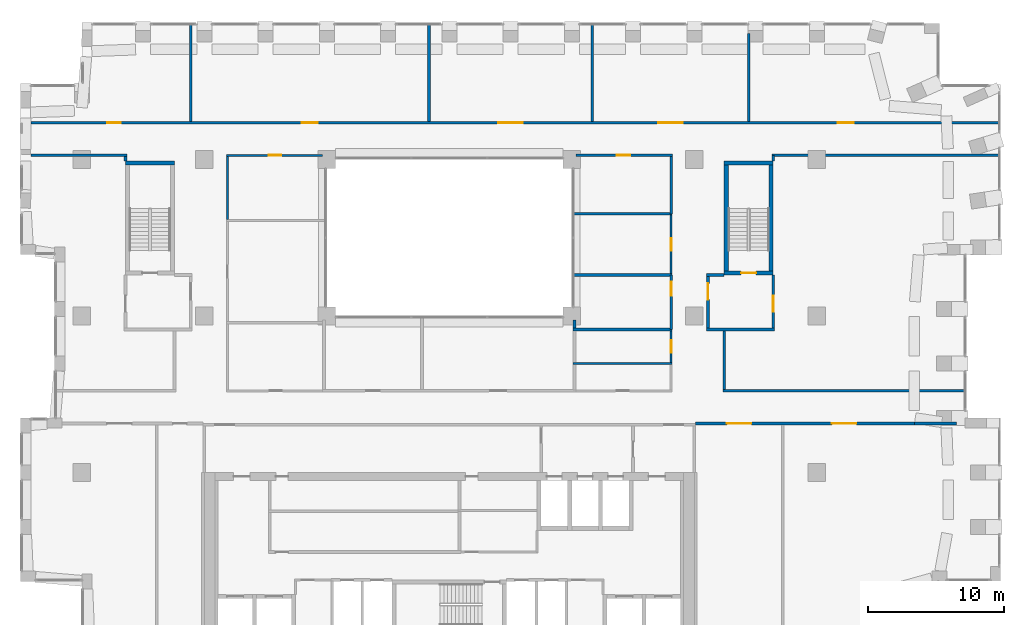
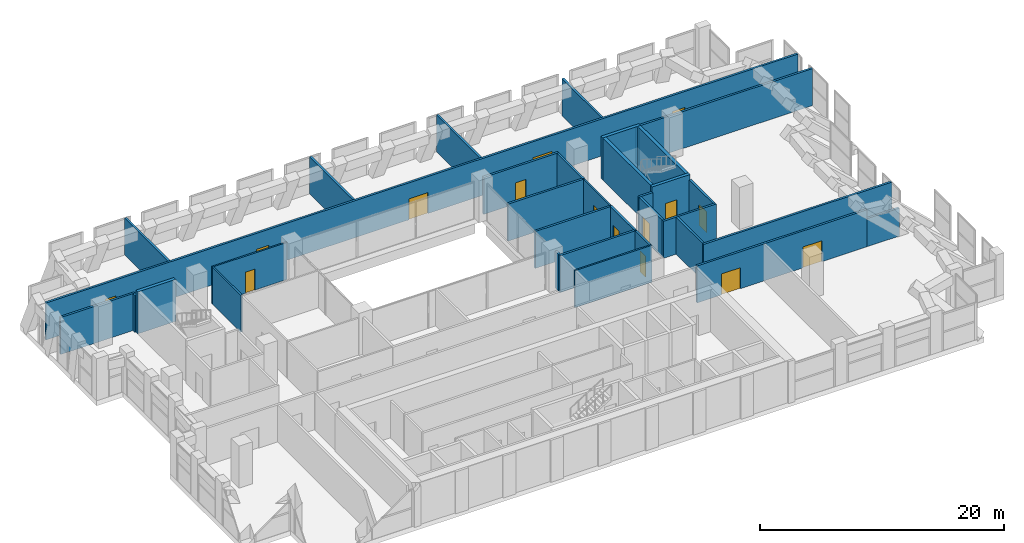
# One storey, part 18 of 20: 34 walls, 15 doors, 15 openings.
"""IFC4 building model written with IfcOpenShell, lengths in metres."""

from ifc_helpers import new_model, si_unit, direction, frame, frame_2d, origin, place, context, subcontext, project, spatial, rectangle, extrude, material, layer, layer_set, type_object, element, fill, save


model = new_model("IFC4")

# Units and contexts
model_context = context("Model", 3, precision=1e-05, world=origin(), true_north=direction((0.0, 1.0)))
body_context = subcontext(model_context, "Body", "Model", "MODEL_VIEW")
ifc_project = project(units=[si_unit("LENGTHUNIT", "METRE"), si_unit("AREAUNIT", "SQUARE_METRE"), si_unit("VOLUMEUNIT", "CUBIC_METRE"), si_unit("PLANEANGLEUNIT", "RADIAN"), si_unit("MASSUNIT", "GRAM", prefix="KILO")], contexts=[model_context])

# Site, building, storey
site_placement = place(None, origin())
site = spatial("IfcSite", under=ifc_project, at=site_placement, CompositionType="ELEMENT")
building_placement = place(site_placement, origin())
building = spatial("IfcBuilding", under=site, at=building_placement, Name="Brigalow Station Residences", CompositionType="ELEMENT")
storey_placement = place(building_placement, frame((0.0, 0.0, 137.10009765625)))
storey = spatial("IfcBuildingStorey", under=building, at=storey_placement, Name="L39", CompositionType="ELEMENT", Elevation=137.10009765625)

# Wall
ifc_material_1 = material(Name="Concrete C65", Category="concrete")
ifc_layer_1 = layer(ifc_material_1, 0.300048828125)
ifc_layer_set_1 = layer_set([ifc_layer_1], Name="CORE SHEAR WALL 300 C65")
wall_type_1 = type_object("IfcWallType", Name="CORE SHEAR WALL 300 C65", PredefinedType="SHEAR", material=ifc_layer_set_1)
wall_1_placement = place(storey_placement, frame((12.199951171875, 35.25, 0.0), z_axis=(0.0, 0.0, 1.0), x_axis=(1.0, 0.0, 0.0)))
element("IfcWall", 1, at=wall_1_placement, inside=storey, type_object=wall_type_1, Name="CORE WALL ST-S1-N L39", PredefinedType="SHEAR", context=body_context, shape_type="SweptSolid", body=[
    extrude(rectangle(XDim=3.60009765625, YDim=0.300048828125, at=frame_2d((1.800048828125, 0.0))), origin(), (0.0, 0.0, 1.0), 4.199951171875),
])

# Wall, opening, door
wall_2_placement = place(storey_placement, frame((56.199951171875, 27.14990234375, 0.0), z_axis=(0.0, 0.0, 1.0), x_axis=(1.0, 0.0, 0.0)))
wall_2 = element("IfcWall", 2, at=wall_2_placement, inside=storey, type_object=wall_type_1, Name="CORE WALL ST-S3-S L39", PredefinedType="SHEAR", context=body_context, shape_type="SweptSolid", body=[
    extrude(rectangle(XDim=3.60009765625, YDim=0.300048828125, at=frame_2d((1.800048828125, 0.0))), origin(), (0.0, 0.0, 1.0), 4.199951171875),
])
opening_1_placement = place(wall_2_placement, frame((1.25, 0.0, 0.0)))
opening_1 = element("IfcOpeningElement", 3, at=opening_1_placement, cuts=wall_2, Name="Opening D-5018", PredefinedType="OPENING", context=body_context, shape_type="SweptSolid", body=[
    extrude(rectangle(XDim=1.10009765625, YDim=2.10009765625, at=frame_2d((0.550048828125, 1.050048828125))), frame((0.0, 0.16015625, 0.0), z_axis=(0.0, -1.0, 0.0), x_axis=(1.0, 0.0, 0.0)), (0.0, 0.0, 1.0), 0.320068359375),
])
ifc_material_2 = material(Name="Steel fire door leaf in steel frame", Category="steel")
door_type_1 = type_object("IfcDoorType", Name="STAIR DOOR 1100 x 2100 FD60S", OperationType="SINGLE_SWING_LEFT", PredefinedType="DOOR", material=ifc_material_2)
door_1_placement = place(opening_1_placement, origin())
door_1 = element("IfcDoor", 4, at=door_1_placement, inside=storey, type_object=door_type_1, Name="D-5018", OperationType="SINGLE_SWING_LEFT", OverallHeight=2.10009765625, OverallWidth=1.10009765625, PredefinedType="DOOR", context=body_context, shape_type="SweptSolid", body=[
    extrude(rectangle(XDim=1.10009765625, YDim=2.10009765625, at=frame_2d((0.550048828125, 1.050048828125))), frame((0.0, 0.02490234375, 0.0), z_axis=(0.0, -1.0, 0.0), x_axis=(1.0, 0.0, 0.0)), (0.0, 0.0, 1.0), 0.050048828125),
])
fill(opening_1, door_1)

# Walls
wall_3_placement = place(storey_placement, frame((56.199951171875, 35.25, 0.0), z_axis=(0.0, 0.0, 1.0), x_axis=(1.0, 0.0, 0.0)))
element("IfcWall", 5, at=wall_3_placement, inside=storey, type_object=wall_type_1, Name="CORE WALL ST-S3-N L39", PredefinedType="SHEAR", context=body_context, shape_type="SweptSolid", body=[
    extrude(rectangle(XDim=3.60009765625, YDim=0.300048828125, at=frame_2d((1.800048828125, 0.0))), origin(), (0.0, 0.0, 1.0), 4.199951171875),
])
for number, where, z_axis, x_axis, name in (
    (6, (56.35009765625, 27.300048828125, 0.0), (0.0, 0.0, 1.0), (0.0, 1.0, 0.0), "CORE WALL ST-S3-W L39"),
    (7, (59.64990234375, 27.300048828125, 0.0), (0.0, 0.0, 1.0), (0.0, 1.0, 0.0), "CORE WALL ST-S3-E L39"),
):
    element("IfcWall", number, at=place(storey_placement, frame(where, z_axis=z_axis, x_axis=x_axis)), inside=storey, type_object=wall_type_1, Name=name, PredefinedType="SHEAR", context=body_context, shape_type="SweptSolid", body=[
        extrude(rectangle(XDim=7.800048828125, YDim=0.300048828125, at=frame_2d((3.89990234375, 0.0))), origin(), (0.0, 0.0, 1.0), 4.199951171875),
    ])
ifc_material_3 = material(Name="Concrete blockwork", Category="masonry")
ifc_layer_2 = layer(ifc_material_3, 0.199951171875)
ifc_layer_set_2 = layer_set([ifc_layer_2], Name="FIRE RATED CORE PARTITION 200")
wall_type_2 = type_object("IfcWallType", Name="FIRE RATED CORE PARTITION 200", PredefinedType="PARTITIONING", material=ifc_layer_set_2)
wall_4_placement = place(storey_placement, frame((54.89990234375, 23.0, 0.0), z_axis=(0.0, 0.0, 1.0), x_axis=(1.0, 0.0, 0.0)))
element("IfcWall", 8, at=wall_4_placement, inside=storey, type_object=wall_type_2, Name="PW-5024", PredefinedType="PARTITIONING", context=body_context, shape_type="SweptSolid", body=[
    extrude(rectangle(XDim=5.0, YDim=0.199951171875, at=frame_2d((2.5, 0.0))), origin(), (0.0, 0.0, 1.0), 3.699951171875),
])
wall_5_placement = place(storey_placement, frame((54.89990234375, 27.0, 0.0), z_axis=(0.0, 0.0, 1.0), x_axis=(1.0, 0.0, 0.0)))
element("IfcWall", 9, at=wall_5_placement, inside=storey, type_object=wall_type_2, Name="PW-5026", PredefinedType="PARTITIONING", context=body_context, shape_type="SweptSolid", body=[
    extrude(rectangle(XDim=1.300048828125, YDim=0.199951171875, at=frame_2d((0.64990234375, 0.0))), origin(), (0.0, 0.0, 1.0), 3.699951171875),
])

# Wall, opening, door
wall_6_placement = place(storey_placement, frame((55.0, 23.10009765625, 0.0), z_axis=(0.0, 0.0, 1.0), x_axis=(0.0, 1.0, 0.0)))
wall_6 = element("IfcWall", 10, at=wall_6_placement, inside=storey, type_object=wall_type_2, Name="PW-5036", PredefinedType="PARTITIONING", context=body_context, shape_type="SweptSolid", body=[
    extrude(rectangle(XDim=3.7998046875, YDim=0.199951171875, at=frame_2d((1.89990234375, 0.0))), origin(), (0.0, 0.0, 1.0), 3.699951171875),
])
opening_2_placement = place(wall_6_placement, frame((2.10009765625, 0.0, 0.0)))
opening_2 = element("IfcOpeningElement", 11, at=opening_2_placement, cuts=wall_6, Name="Opening D-5019", PredefinedType="OPENING", context=body_context, shape_type="SweptSolid", body=[
    extrude(rectangle(XDim=1.199951171875, YDim=2.10009765625, at=frame_2d((0.60009765625, 1.050048828125))), frame((0.0, 0.10986328125, 0.0), z_axis=(0.0, -1.0, 0.0), x_axis=(1.0, 0.0, 0.0)), (0.0, 0.0, 1.0), 0.219970703125),
])
ifc_material_4 = material(Name="Steel fire door leaf in steel frame", Category="steel")
door_type_2 = type_object("IfcDoorType", Name="STAIR LOBBY DOOR 1200 x 2100 FD60S", OperationType="SINGLE_SWING_LEFT", PredefinedType="DOOR", material=ifc_material_4)
door_2_placement = place(opening_2_placement, origin())
door_2 = element("IfcDoor", 12, at=door_2_placement, inside=storey, type_object=door_type_2, Name="D-5019", OperationType="SINGLE_SWING_LEFT", OverallHeight=2.10009765625, OverallWidth=1.199951171875, PredefinedType="DOOR", context=body_context, shape_type="SweptSolid", body=[
    extrude(rectangle(XDim=1.199951171875, YDim=2.10009765625, at=frame_2d((0.60009765625, 1.050048828125))), frame((0.0, 0.02490234375, 0.0), z_axis=(0.0, -1.0, 0.0), x_axis=(1.0, 0.0, 0.0)), (0.0, 0.0, 1.0), 0.050048828125),
])
fill(opening_2, door_2)

wall_7_placement = place(storey_placement, frame((59.800048828125, 23.10009765625, 0.0), z_axis=(0.0, 0.0, 1.0), x_axis=(0.0, 1.0, 0.0)))
wall_7 = element("IfcWall", 13, at=wall_7_placement, inside=storey, type_object=wall_type_2, Name="PW-5037", PredefinedType="PARTITIONING", context=body_context, shape_type="SweptSolid", body=[
    extrude(rectangle(XDim=3.89990234375, YDim=0.199951171875, at=frame_2d((1.949951171875, 0.0))), origin(), (0.0, 0.0, 1.0), 3.699951171875),
])
opening_3_placement = place(wall_7_placement, frame((1.199951171875, 0.0, 0.0)))
opening_3 = element("IfcOpeningElement", 14, at=opening_3_placement, cuts=wall_7, Name="Opening D-5109", PredefinedType="OPENING", context=body_context, shape_type="SweptSolid", body=[
    extrude(rectangle(XDim=1.199951171875, YDim=2.10009765625, at=frame_2d((0.60009765625, 1.050048828125))), frame((0.0, 0.10986328125, 0.0), z_axis=(0.0, -1.0, 0.0), x_axis=(1.0, 0.0, 0.0)), (0.0, 0.0, 1.0), 0.219970703125),
])
ifc_material_5 = material(Name="Steel fire door leaves in steel frame", Category="steel")
door_type_3 = type_object("IfcDoorType", Name="REFUGE AREA DOOR 1200 x 2100 FD60S", OperationType="SINGLE_SWING_LEFT", PredefinedType="DOOR", material=ifc_material_5)
door_3_placement = place(opening_3_placement, origin())
door_3 = element("IfcDoor", 15, at=door_3_placement, inside=storey, type_object=door_type_3, Name="D-5109", OperationType="SINGLE_SWING_LEFT", OverallHeight=2.10009765625, OverallWidth=1.199951171875, PredefinedType="DOOR", context=body_context, shape_type="SweptSolid", body=[
    extrude(rectangle(XDim=1.199951171875, YDim=2.10009765625, at=frame_2d((0.60009765625, 1.050048828125))), frame((0.0, 0.02490234375, 0.0), z_axis=(0.0, -1.0, 0.0), x_axis=(1.0, 0.0, 0.0)), (0.0, 0.0, 1.0), 0.050048828125),
])
fill(opening_3, door_3)

# Wall, openings, doors
wall_8_placement = place(storey_placement, frame((54.10009765625, 16.10009765625, 0.0), z_axis=(0.0, 0.0, 1.0), x_axis=(1.0, 0.0, 0.0)))
wall_8 = element("IfcWall", 16, at=wall_8_placement, inside=storey, type_object=wall_type_2, Name="PW-5264", PredefinedType="PARTITIONING", context=body_context, shape_type="SweptSolid", body=[
    extrude(rectangle(XDim=16.074951171875, YDim=0.199951171875, at=frame_2d((8.03759765625, 0.0))), origin(), (0.0, 0.0, 1.0), 3.699951171875),
])
opening_4_placement = place(wall_8_placement, frame((2.300048828125, 0.0, 0.0)))
opening_4 = element("IfcOpeningElement", 17, at=opening_4_placement, cuts=wall_8, Name="Opening D-5131", PredefinedType="OPENING", context=body_context, shape_type="SweptSolid", body=[
    extrude(rectangle(XDim=1.800048828125, YDim=2.10009765625, at=frame_2d((0.89990234375, 1.050048828125))), frame((0.0, 0.10986328125, 0.0), z_axis=(0.0, -1.0, 0.0), x_axis=(1.0, 0.0, 0.0)), (0.0, 0.0, 1.0), 0.219970703125),
])
opening_5_placement = place(wall_8_placement, frame((10.0, 0.0, 0.0)))
opening_5 = element("IfcOpeningElement", 18, at=opening_5_placement, cuts=wall_8, Name="Opening D-5132", PredefinedType="OPENING", context=body_context, shape_type="SweptSolid", body=[
    extrude(rectangle(XDim=1.800048828125, YDim=2.10009765625, at=frame_2d((0.89990234375, 1.050048828125))), frame((0.0, 0.10986328125, 0.0), z_axis=(0.0, -1.0, 0.0), x_axis=(1.0, 0.0, 0.0)), (0.0, 0.0, 1.0), 0.219970703125),
])
ifc_material_6 = material(Name="Steel fire door leaf in steel frame", Category="steel")
door_type_4 = type_object("IfcDoorType", Name="PLANT ROOM DOOR 1800 x 2100 FD60", OperationType="DOUBLE_DOOR_SINGLE_SWING", PredefinedType="DOOR", material=ifc_material_6)
door_4_placement = place(opening_4_placement, frame((1.800048828125, 0.0, 0.0), z_axis=(0.0, 0.0, 1.0), x_axis=(-1.0, 0.0, 0.0)))
door_4 = element("IfcDoor", 19, at=door_4_placement, inside=storey, type_object=door_type_4, Name="D-5131", OperationType="DOUBLE_DOOR_SINGLE_SWING", OverallHeight=2.10009765625, OverallWidth=1.800048828125, PredefinedType="DOOR", context=body_context, shape_type="SweptSolid", body=[
    extrude(rectangle(XDim=1.800048828125, YDim=2.10009765625, at=frame_2d((0.89990234375, 1.050048828125))), frame((0.0, 0.02490234375, 0.0), z_axis=(0.0, -1.0, 0.0), x_axis=(1.0, 0.0, 0.0)), (0.0, 0.0, 1.0), 0.050048828125),
])
fill(opening_4, door_4)
door_5_placement = place(opening_5_placement, frame((1.800048828125, 0.0, 0.0), z_axis=(0.0, 0.0, 1.0), x_axis=(-1.0, 0.0, 0.0)))
door_5 = element("IfcDoor", 20, at=door_5_placement, inside=storey, type_object=door_type_4, Name="D-5132", OperationType="DOUBLE_DOOR_SINGLE_SWING", OverallHeight=2.10009765625, OverallWidth=1.800048828125, PredefinedType="DOOR", context=body_context, shape_type="SweptSolid", body=[
    extrude(rectangle(XDim=1.800048828125, YDim=2.10009765625, at=frame_2d((0.89990234375, 1.050048828125))), frame((0.0, 0.02490234375, 0.0), z_axis=(0.0, -1.0, 0.0), x_axis=(1.0, 0.0, 0.0)), (0.0, 0.0, 1.0), 0.050048828125),
])
fill(opening_5, door_5)

# Walls
wall_9_placement = place(storey_placement, frame((70.175048828125, 16.10009765625, 0.0), z_axis=(0.0, 0.0, 1.0), x_axis=(1.0, 0.0, 0.0)))
element("IfcWall", 21, at=wall_9_placement, inside=storey, type_object=wall_type_2, Name="PW-5264", PredefinedType="PARTITIONING", context=body_context, shape_type="SweptSolid", body=[
    extrude(rectangle(XDim=3.074951171875, YDim=0.199951171875, at=frame_2d((1.53759765625, 0.0))), origin(), (0.0, 0.0, 1.0), 2.7998046875),
])
wall_10_placement = place(storey_placement, frame((56.10009765625, 18.5, 0.0), z_axis=(0.0, 0.0, 1.0), x_axis=(1.0, 0.0, 0.0)))
element("IfcWall", 22, at=wall_10_placement, inside=storey, type_object=wall_type_2, Name="PW-5162", PredefinedType="PARTITIONING", context=body_context, shape_type="SweptSolid", body=[
    extrude(rectangle(XDim=17.809814453125, YDim=0.199951171875, at=frame_2d((8.90478515625, 0.0))), origin(), (0.0, 0.0, 1.0), 3.699951171875),
])
wall_11_placement = place(storey_placement, frame((45.10009765625, 23.0, 0.0), z_axis=(0.0, 0.0, 1.0), x_axis=(1.0, 0.0, 0.0)))
element("IfcWall", 23, at=wall_11_placement, inside=storey, type_object=wall_type_2, Name="PW-5269", PredefinedType="PARTITIONING", context=body_context, shape_type="SweptSolid", body=[
    extrude(rectangle(XDim=7.27490234375, YDim=0.199951171875, at=frame_2d((3.637451171875, 0.0))), origin(), (0.0, 0.0, 1.0), 3.699951171875),
])
for number, where, z_axis, x_axis, name in (
    (24, (45.095947265625, 27.0, 0.0), (0.0, 0.0, 1.0), (1.0, 0.0, 0.0), "PW-5271"),
    (25, (45.095947265625, 31.5, 0.0), (0.0, 0.0, 1.0), (1.0, 0.0, 0.0), "PW-5273"),
):
    element("IfcWall", number, at=place(storey_placement, frame(where, z_axis=z_axis, x_axis=x_axis)), inside=storey, type_object=wall_type_2, Name=name, PredefinedType="PARTITIONING", context=body_context, shape_type="SweptSolid", body=[
        extrude(rectangle(XDim=7.279052734375, YDim=0.199951171875, at=frame_2d((3.6396484375, 0.0))), origin(), (0.0, 0.0, 1.0), 3.699951171875),
    ])
wall_12_placement = place(storey_placement, frame((5.25, 35.800048828125, 0.0), z_axis=(0.0, 0.0, 1.0), x_axis=(1.0, 0.0, 0.0)))
element("IfcWall", 26, at=wall_12_placement, inside=storey, type_object=wall_type_2, Name="PW-5274", PredefinedType="PARTITIONING", context=body_context, shape_type="SweptSolid", body=[
    extrude(rectangle(XDim=7.050048828125, YDim=0.199951171875, at=frame_2d((3.52490234375, 0.0))), origin(), (0.0, 0.0, 1.0), 3.699951171875),
])

# Wall, opening, door
wall_13_placement = place(storey_placement, frame((45.300048828125, 35.800048828125, 0.0), z_axis=(0.0, 0.0, 1.0), x_axis=(1.0, 0.0, 0.0)))
wall_13 = element("IfcWall", 27, at=wall_13_placement, inside=storey, type_object=wall_type_2, Name="PW-5275", PredefinedType="PARTITIONING", context=body_context, shape_type="SweptSolid", body=[
    extrude(rectangle(XDim=7.099853515625, YDim=0.199951171875, at=frame_2d((3.5498046875, 0.0))), origin(), (0.0, 0.0, 1.0), 3.699951171875),
])
opening_6_placement = place(wall_13_placement, frame((3.0, 0.0, 0.0)))
opening_6 = element("IfcOpeningElement", 28, at=opening_6_placement, cuts=wall_13, Name="Opening D-5140", PredefinedType="OPENING", context=body_context, shape_type="SweptSolid", body=[
    extrude(rectangle(XDim=1.0, YDim=2.10009765625, at=frame_2d((0.5, 1.050048828125))), frame((0.0, 0.10986328125, 0.0), z_axis=(0.0, -1.0, 0.0), x_axis=(1.0, 0.0, 0.0)), (0.0, 0.0, 1.0), 0.219970703125),
])
ifc_material_7 = material(Name="Steel fire door leaf in steel frame", Category="steel")
door_type_5 = type_object("IfcDoorType", Name="PLANT ROOM DOOR 1000 x 2100 FD60", OperationType="SINGLE_SWING_LEFT", PredefinedType="DOOR", material=ifc_material_7)
door_6_placement = place(opening_6_placement, frame((1.0, 0.0, 0.0), z_axis=(0.0, 0.0, 1.0), x_axis=(-1.0, 0.0, 0.0)))
door_6 = element("IfcDoor", 29, at=door_6_placement, inside=storey, type_object=door_type_5, Name="D-5140", OperationType="SINGLE_SWING_LEFT", OverallHeight=2.10009765625, OverallWidth=1.0, PredefinedType="DOOR", context=body_context, shape_type="SweptSolid", body=[
    extrude(rectangle(XDim=1.0, YDim=2.10009765625, at=frame_2d((0.5, 1.050048828125))), frame((0.0, 0.02490234375, 0.0), z_axis=(0.0, -1.0, 0.0), x_axis=(1.0, 0.0, 0.0)), (0.0, 0.0, 1.0), 0.050048828125),
])
fill(opening_6, door_6)

# Wall
wall_14_placement = place(storey_placement, frame((59.699951171875, 35.800048828125, 0.0), z_axis=(0.0, 0.0, 1.0), x_axis=(1.0, 0.0, 0.0)))
element("IfcWall", 30, at=wall_14_placement, inside=storey, type_object=wall_type_2, Name="PW-5276", PredefinedType="PARTITIONING", context=body_context, shape_type="SweptSolid", body=[
    extrude(rectangle(XDim=16.7099609375, YDim=0.199951171875, at=frame_2d((8.35498046875, 0.0))), origin(), (0.0, 0.0, 1.0), 3.699951171875),
])

# Wall, openings, doors
wall_15_placement = place(storey_placement, frame((5.25, 38.199951171875, 0.0), z_axis=(0.0, 0.0, 1.0), x_axis=(1.0, 0.0, 0.0)))
wall_15 = element("IfcWall", 31, at=wall_15_placement, inside=storey, type_object=wall_type_2, Name="PW-5278", PredefinedType="PARTITIONING", context=body_context, shape_type="SweptSolid", body=[
    extrude(rectangle(XDim=71.159912109375, YDim=0.199951171875, at=frame_2d((35.580078125, 0.0))), origin(), (0.0, 0.0, 1.0), 3.699951171875),
])
opening_7_placement = place(wall_15_placement, frame((5.625, 0.0, 0.0)))
opening_7 = element("IfcOpeningElement", 32, at=opening_7_placement, cuts=wall_15, Name="Opening D-5143", PredefinedType="OPENING", context=body_context, shape_type="SweptSolid", body=[
    extrude(rectangle(XDim=1.0, YDim=2.10009765625, at=frame_2d((0.5, 1.050048828125))), frame((0.0, 0.10986328125, 0.0), z_axis=(0.0, -1.0, 0.0), x_axis=(1.0, 0.0, 0.0)), (0.0, 0.0, 1.0), 0.219970703125),
])
opening_8_placement = place(wall_15_placement, frame((19.89990234375, 0.0, 0.0)))
opening_8 = element("IfcOpeningElement", 33, at=opening_8_placement, cuts=wall_15, Name="Opening D-5144", PredefinedType="OPENING", context=body_context, shape_type="SweptSolid", body=[
    extrude(rectangle(XDim=1.199951171875, YDim=2.10009765625, at=frame_2d((0.60009765625, 1.050048828125))), frame((0.0, 0.10986328125, 0.0), z_axis=(0.0, -1.0, 0.0), x_axis=(1.0, 0.0, 0.0)), (0.0, 0.0, 1.0), 0.219970703125),
])
opening_9_placement = place(wall_15_placement, frame((34.35009765625, 0.0, 0.0)))
opening_9 = element("IfcOpeningElement", 34, at=opening_9_placement, cuts=wall_15, Name="Opening D-5145", PredefinedType="OPENING", context=body_context, shape_type="SweptSolid", body=[
    extrude(rectangle(XDim=1.800048828125, YDim=2.10009765625, at=frame_2d((0.89990234375, 1.050048828125))), frame((0.0, 0.10986328125, 0.0), z_axis=(0.0, -1.0, 0.0), x_axis=(1.0, 0.0, 0.0)), (0.0, 0.0, 1.0), 0.219970703125),
])
opening_10_placement = place(wall_15_placement, frame((46.10009765625, 0.0, 0.0)))
opening_10 = element("IfcOpeningElement", 35, at=opening_10_placement, cuts=wall_15, Name="Opening D-5146", PredefinedType="OPENING", context=body_context, shape_type="SweptSolid", body=[
    extrude(rectangle(XDim=1.800048828125, YDim=2.10009765625, at=frame_2d((0.89990234375, 1.050048828125))), frame((0.0, 0.10986328125, 0.0), z_axis=(0.0, -1.0, 0.0), x_axis=(1.0, 0.0, 0.0)), (0.0, 0.0, 1.0), 0.219970703125),
])
opening_11_placement = place(wall_15_placement, frame((59.27490234375, 0.0, 0.0)))
opening_11 = element("IfcOpeningElement", 36, at=opening_11_placement, cuts=wall_15, Name="Opening D-5147", PredefinedType="OPENING", context=body_context, shape_type="SweptSolid", body=[
    extrude(rectangle(XDim=1.199951171875, YDim=2.10009765625, at=frame_2d((0.60009765625, 1.050048828125))), frame((0.0, 0.10986328125, 0.0), z_axis=(0.0, -1.0, 0.0), x_axis=(1.0, 0.0, 0.0)), (0.0, 0.0, 1.0), 0.219970703125),
])
door_7_placement = place(opening_7_placement, origin())
door_7 = element("IfcDoor", 37, at=door_7_placement, inside=storey, type_object=door_type_5, Name="D-5143", OperationType="SINGLE_SWING_RIGHT", OverallHeight=2.10009765625, OverallWidth=1.0, PredefinedType="DOOR", context=body_context, shape_type="SweptSolid", body=[
    extrude(rectangle(XDim=1.0, YDim=2.10009765625, at=frame_2d((0.5, 1.050048828125))), frame((0.0, 0.02490234375, 0.0), z_axis=(0.0, -1.0, 0.0), x_axis=(1.0, 0.0, 0.0)), (0.0, 0.0, 1.0), 0.050048828125),
])
fill(opening_7, door_7)
door_8_placement = place(opening_9_placement, origin())
door_8 = element("IfcDoor", 38, at=door_8_placement, inside=storey, type_object=door_type_4, Name="D-5145", OperationType="DOUBLE_DOOR_SINGLE_SWING", OverallHeight=2.10009765625, OverallWidth=1.800048828125, PredefinedType="DOOR", context=body_context, shape_type="SweptSolid", body=[
    extrude(rectangle(XDim=1.800048828125, YDim=2.10009765625, at=frame_2d((0.89990234375, 1.050048828125))), frame((0.0, 0.02490234375, 0.0), z_axis=(0.0, -1.0, 0.0), x_axis=(1.0, 0.0, 0.0)), (0.0, 0.0, 1.0), 0.050048828125),
])
fill(opening_9, door_8)
door_9_placement = place(opening_10_placement, origin())
door_9 = element("IfcDoor", 39, at=door_9_placement, inside=storey, type_object=door_type_4, Name="D-5146", OperationType="DOUBLE_DOOR_SINGLE_SWING", OverallHeight=2.10009765625, OverallWidth=1.800048828125, PredefinedType="DOOR", context=body_context, shape_type="SweptSolid", body=[
    extrude(rectangle(XDim=1.800048828125, YDim=2.10009765625, at=frame_2d((0.89990234375, 1.050048828125))), frame((0.0, 0.02490234375, 0.0), z_axis=(0.0, -1.0, 0.0), x_axis=(1.0, 0.0, 0.0)), (0.0, 0.0, 1.0), 0.050048828125),
])
fill(opening_10, door_9)
door_10_placement = place(opening_8_placement, origin())
door_10 = element("IfcDoor", 40, at=door_10_placement, inside=storey, type_object=door_type_3, Name="D-5144", OperationType="SINGLE_SWING_RIGHT", OverallHeight=2.10009765625, OverallWidth=1.199951171875, PredefinedType="DOOR", context=body_context, shape_type="SweptSolid", body=[
    extrude(rectangle(XDim=1.199951171875, YDim=2.10009765625, at=frame_2d((0.60009765625, 1.050048828125))), frame((0.0, 0.02490234375, 0.0), z_axis=(0.0, -1.0, 0.0), x_axis=(1.0, 0.0, 0.0)), (0.0, 0.0, 1.0), 0.050048828125),
])
fill(opening_8, door_10)
door_11_placement = place(opening_11_placement, origin())
door_11 = element("IfcDoor", 41, at=door_11_placement, inside=storey, type_object=door_type_3, Name="D-5147", OperationType="SINGLE_SWING_LEFT", OverallHeight=2.10009765625, OverallWidth=1.199951171875, PredefinedType="DOOR", context=body_context, shape_type="SweptSolid", body=[
    extrude(rectangle(XDim=1.199951171875, YDim=2.10009765625, at=frame_2d((0.60009765625, 1.050048828125))), frame((0.0, 0.02490234375, 0.0), z_axis=(0.0, -1.0, 0.0), x_axis=(1.0, 0.0, 0.0)), (0.0, 0.0, 1.0), 0.050048828125),
])
fill(opening_11, door_11)

# Wall
wall_16_placement = place(storey_placement, frame((56.199951171875, 18.60009765625, 0.0), z_axis=(0.0, 0.0, 1.0), x_axis=(0.0, 1.0, 0.0)))
element("IfcWall", 42, at=wall_16_placement, inside=storey, type_object=wall_type_2, Name="PW-5095", PredefinedType="PARTITIONING", context=body_context, shape_type="SweptSolid", body=[
    extrude(rectangle(XDim=4.2998046875, YDim=0.199951171875, at=frame_2d((2.14990234375, 0.0))), origin(), (0.0, 0.0, 1.0), 3.699951171875),
])

# Wall, opening, door
wall_17_placement = place(storey_placement, frame((52.300048828125, 23.0, 0.0), z_axis=(0.0, 0.0, 1.0), x_axis=(0.0, 1.0, 0.0)))
wall_17 = element("IfcWall", 43, at=wall_17_placement, inside=storey, type_object=wall_type_2, Name="PW-5287", PredefinedType="PARTITIONING", context=body_context, shape_type="SweptSolid", body=[
    extrude(rectangle(XDim=4.0, YDim=0.199951171875, at=frame_2d((2.0, 0.0))), origin(), (0.0, 0.0, 1.0), 3.699951171875),
])
opening_12_placement = place(wall_17_placement, frame((2.5, 0.0, 0.0)))
opening_12 = element("IfcOpeningElement", 44, at=opening_12_placement, cuts=wall_17, Name="Opening D-5138", PredefinedType="OPENING", context=body_context, shape_type="SweptSolid", body=[
    extrude(rectangle(XDim=1.0, YDim=2.10009765625, at=frame_2d((0.5, 1.050048828125))), frame((0.0, 0.10986328125, 0.0), z_axis=(0.0, -1.0, 0.0), x_axis=(1.0, 0.0, 0.0)), (0.0, 0.0, 1.0), 0.219970703125),
])
door_12_placement = place(opening_12_placement, origin())
door_12 = element("IfcDoor", 45, at=door_12_placement, inside=storey, type_object=door_type_5, Name="D-5138", OperationType="SINGLE_SWING_RIGHT", OverallHeight=2.10009765625, OverallWidth=1.0, PredefinedType="DOOR", context=body_context, shape_type="SweptSolid", body=[
    extrude(rectangle(XDim=1.0, YDim=2.10009765625, at=frame_2d((0.5, 1.050048828125))), frame((0.0, 0.02490234375, 0.0), z_axis=(0.0, -1.0, 0.0), x_axis=(1.0, 0.0, 0.0)), (0.0, 0.0, 1.0), 0.050048828125),
])
fill(opening_12, door_12)

# Walls
wall_18_placement = place(storey_placement, frame((45.199951171875, 23.10009765625, 0.0), z_axis=(0.0, 0.0, 1.0), x_axis=(0.0, 1.0, 0.0)))
element("IfcWall", 46, at=wall_18_placement, inside=storey, type_object=wall_type_2, Name="PW-5187", PredefinedType="PARTITIONING", context=body_context, shape_type="SweptSolid", body=[
    extrude(rectangle(XDim=0.599853515625, YDim=0.199951171875, at=frame_2d((0.2998046875, 0.0))), origin(), (0.0, 0.0, 1.0), 3.699951171875),
])
wall_19_placement = place(storey_placement, frame((52.300048828125, 31.5, 0.0), z_axis=(0.0, 0.0, 1.0), x_axis=(0.0, 1.0, 0.0)))
element("IfcWall", 47, at=wall_19_placement, inside=storey, type_object=wall_type_2, Name="PW-5291", PredefinedType="PARTITIONING", context=body_context, shape_type="SweptSolid", body=[
    extrude(rectangle(XDim=4.199951171875, YDim=0.199951171875, at=frame_2d((2.10009765625, 0.0))), origin(), (0.0, 0.0, 1.0), 3.699951171875),
])
wall_20_placement = place(storey_placement, frame((12.199951171875, 35.39990234375, 0.0), z_axis=(0.0, 0.0, 1.0), x_axis=(0.0, 1.0, 0.0)))
element("IfcWall", 48, at=wall_20_placement, inside=storey, type_object=wall_type_2, Name="PW-5102", PredefinedType="PARTITIONING", context=body_context, shape_type="SweptSolid", body=[
    extrude(rectangle(XDim=0.300048828125, YDim=0.199951171875, at=frame_2d((0.14990234375, 0.0))), origin(), (0.0, 0.0, 1.0), 3.699951171875),
])
wall_21_placement = place(storey_placement, frame((59.800048828125, 35.39990234375, 0.0), z_axis=(0.0, 0.0, 1.0), x_axis=(0.0, 1.0, 0.0)))
element("IfcWall", 49, at=wall_21_placement, inside=storey, type_object=wall_type_2, Name="PW-5103", PredefinedType="PARTITIONING", context=body_context, shape_type="SweptSolid", body=[
    extrude(rectangle(XDim=0.400146484375, YDim=0.199951171875, at=frame_2d((0.2001953125, 0.0))), origin(), (0.0, 0.0, 1.0), 3.699951171875),
])
for number, where, z_axis, x_axis, name in (
    (50, (17.0, 38.300048828125, 0.0), (0.0, 0.0, 1.0), (0.0, 1.0, 0.0), "PW-5292"),
    (51, (34.5, 38.300048828125, 0.0), (0.0, 0.0, 1.0), (0.0, 1.0, 0.0), "PW-5293"),
    (52, (46.5, 38.300048828125, 0.0), (0.0, 0.0, 1.0), (0.0, 1.0, 0.0), "PW-5294"),
):
    element("IfcWall", number, at=place(storey_placement, frame(where, z_axis=z_axis, x_axis=x_axis)), inside=storey, type_object=wall_type_2, Name=name, PredefinedType="PARTITIONING", context=body_context, shape_type="SweptSolid", body=[
        extrude(rectangle(XDim=7.10986328125, YDim=0.199951171875, at=frame_2d((3.554931640625, 0.0))), origin(), (0.0, 0.0, 1.0), 3.699951171875),
    ])
wall_22_placement = place(storey_placement, frame((58.0, 38.300048828125, 0.0), z_axis=(0.0, 0.0, 1.0), x_axis=(0.0, 1.0, 0.0)))
element("IfcWall", 53, at=wall_22_placement, inside=storey, type_object=wall_type_2, Name="PW-5295", PredefinedType="PARTITIONING", context=body_context, shape_type="SweptSolid", body=[
    extrude(rectangle(XDim=6.449951171875, YDim=0.199951171875, at=frame_2d((3.22509765625, 0.0))), origin(), (0.0, 0.0, 1.0), 3.699951171875),
])
ifc_material_8 = material(Name="Plasterboard on steel studs", Category="steel")
ifc_layer_3 = layer(ifc_material_8, 0.14990234375)
ifc_layer_set_3 = layer_set([ifc_layer_3], Name="SERVICE ROOM PARTITION 150")
wall_type_3 = type_object("IfcWallType", Name="SERVICE ROOM PARTITION 150", PredefinedType="PARTITIONING", material=ifc_layer_set_3)
wall_23_placement = place(storey_placement, frame((45.10009765625, 20.5, 0.0), z_axis=(0.0, 0.0, 1.0), x_axis=(1.0, 0.0, 0.0)))
element("IfcWall", 54, at=wall_23_placement, inside=storey, type_object=wall_type_3, Name="PW-5268", PredefinedType="PARTITIONING", context=body_context, shape_type="SweptSolid", body=[
    extrude(rectangle(XDim=7.27490234375, YDim=0.14990234375, at=frame_2d((3.637451171875, 0.0))), origin(), (0.0, 0.0, 1.0), 3.699951171875),
])

# Wall, opening, door
wall_24_placement = place(storey_placement, frame((19.625, 35.800048828125, 0.0), z_axis=(0.0, 0.0, 1.0), x_axis=(1.0, 0.0, 0.0)))
wall_24 = element("IfcWall", 55, at=wall_24_placement, inside=storey, type_object=wall_type_3, Name="PW-5277", PredefinedType="PARTITIONING", context=body_context, shape_type="SweptSolid", body=[
    extrude(rectangle(XDim=7.074951171875, YDim=0.14990234375, at=frame_2d((3.53759765625, 0.0))), origin(), (0.0, 0.0, 1.0), 3.699951171875),
])
opening_13_placement = place(wall_24_placement, frame((3.125, 0.0, 0.0)))
opening_13 = element("IfcOpeningElement", 56, at=opening_13_placement, cuts=wall_24, Name="Opening D-5135", PredefinedType="OPENING", context=body_context, shape_type="SweptSolid", body=[
    extrude(rectangle(XDim=0.89990234375, YDim=2.10009765625, at=frame_2d((0.449951171875, 1.050048828125))), frame((0.0, 0.0849609375, 0.0), z_axis=(0.0, -1.0, 0.0), x_axis=(1.0, 0.0, 0.0)), (0.0, 0.0, 1.0), 0.169921875),
])
ifc_material_9 = material(Name="Steel door leaf in steel frame", Category="steel")
door_type_6 = type_object("IfcDoorType", Name="SERVICE ROOM DOOR 900 x 2100 FD60", OperationType="SINGLE_SWING_LEFT", PredefinedType="DOOR", material=ifc_material_9)
door_13_placement = place(opening_13_placement, frame((0.89990234375, 0.0, 0.0), z_axis=(0.0, 0.0, 1.0), x_axis=(-1.0, 0.0, 0.0)))
door_13 = element("IfcDoor", 57, at=door_13_placement, inside=storey, type_object=door_type_6, Name="D-5135", OperationType="SINGLE_SWING_RIGHT", OverallHeight=2.10009765625, OverallWidth=0.89990234375, PredefinedType="DOOR", context=body_context, shape_type="SweptSolid", body=[
    extrude(rectangle(XDim=0.89990234375, YDim=2.10009765625, at=frame_2d((0.449951171875, 1.050048828125))), frame((0.0, 0.02490234375, 0.0), z_axis=(0.0, -1.0, 0.0), x_axis=(1.0, 0.0, 0.0)), (0.0, 0.0, 1.0), 0.050048828125),
])
fill(opening_13, door_13)

wall_25_placement = place(storey_placement, frame((52.300048828125, 20.574951171875, 0.0), z_axis=(0.0, 0.0, 1.0), x_axis=(0.0, 1.0, 0.0)))
wall_25 = element("IfcWall", 58, at=wall_25_placement, inside=storey, type_object=wall_type_3, Name="PW-5286", PredefinedType="PARTITIONING", context=body_context, shape_type="SweptSolid", body=[
    extrude(rectangle(XDim=2.324951171875, YDim=0.14990234375, at=frame_2d((1.16259765625, 0.0))), origin(), (0.0, 0.0, 1.0), 3.699951171875),
])
opening_14_placement = place(wall_25_placement, frame((0.72509765625, 0.0, 0.0)))
opening_14 = element("IfcOpeningElement", 59, at=opening_14_placement, cuts=wall_25, Name="Opening D-5137", PredefinedType="OPENING", context=body_context, shape_type="SweptSolid", body=[
    extrude(rectangle(XDim=0.89990234375, YDim=2.10009765625, at=frame_2d((0.449951171875, 1.050048828125))), frame((0.0, 0.0849609375, 0.0), z_axis=(0.0, -1.0, 0.0), x_axis=(1.0, 0.0, 0.0)), (0.0, 0.0, 1.0), 0.169921875),
])
ifc_material_10 = material(Name="Timber door leaf in steel frame", Category="steel")
door_type_7 = type_object("IfcDoorType", Name="WC DOOR 900 x 2100 FD60", OperationType="SINGLE_SWING_LEFT", PredefinedType="DOOR", material=ifc_material_10)
door_14_placement = place(opening_14_placement, origin())
door_14 = element("IfcDoor", 60, at=door_14_placement, inside=storey, type_object=door_type_7, Name="D-5137", OperationType="SINGLE_SWING_RIGHT", OverallHeight=2.10009765625, OverallWidth=0.89990234375, PredefinedType="DOOR", context=body_context, shape_type="SweptSolid", body=[
    extrude(rectangle(XDim=0.89990234375, YDim=2.10009765625, at=frame_2d((0.449951171875, 1.050048828125))), frame((0.0, 0.02490234375, 0.0), z_axis=(0.0, -1.0, 0.0), x_axis=(1.0, 0.0, 0.0)), (0.0, 0.0, 1.0), 0.050048828125),
])
fill(opening_14, door_14)

wall_26_placement = place(storey_placement, frame((52.300048828125, 27.10009765625, 0.0), z_axis=(0.0, 0.0, 1.0), x_axis=(0.0, 1.0, 0.0)))
wall_26 = element("IfcWall", 61, at=wall_26_placement, inside=storey, type_object=wall_type_3, Name="PW-5289", PredefinedType="PARTITIONING", context=body_context, shape_type="SweptSolid", body=[
    extrude(rectangle(XDim=4.2998046875, YDim=0.14990234375, at=frame_2d((2.14990234375, 0.0))), origin(), (0.0, 0.0, 1.0), 3.699951171875),
])
opening_15_placement = place(wall_26_placement, frame((1.699951171875, 0.0, 0.0)))
opening_15 = element("IfcOpeningElement", 62, at=opening_15_placement, cuts=wall_26, Name="Opening D-5139", PredefinedType="OPENING", context=body_context, shape_type="SweptSolid", body=[
    extrude(rectangle(XDim=0.89990234375, YDim=2.10009765625, at=frame_2d((0.449951171875, 1.050048828125))), frame((0.0, 0.0849609375, 0.0), z_axis=(0.0, -1.0, 0.0), x_axis=(1.0, 0.0, 0.0)), (0.0, 0.0, 1.0), 0.169921875),
])
door_15_placement = place(opening_15_placement, origin())
door_15 = element("IfcDoor", 63, at=door_15_placement, inside=storey, type_object=door_type_6, Name="D-5139", OperationType="SINGLE_SWING_LEFT", OverallHeight=2.10009765625, OverallWidth=0.89990234375, PredefinedType="DOOR", context=body_context, shape_type="SweptSolid", body=[
    extrude(rectangle(XDim=0.89990234375, YDim=2.10009765625, at=frame_2d((0.449951171875, 1.050048828125))), frame((0.0, 0.02490234375, 0.0), z_axis=(0.0, -1.0, 0.0), x_axis=(1.0, 0.0, 0.0)), (0.0, 0.0, 1.0), 0.050048828125),
])
fill(opening_15, door_15)

# Wall
wall_27_placement = place(storey_placement, frame((19.699951171875, 31.074951171875, 0.0), z_axis=(0.0, 0.0, 1.0), x_axis=(0.0, 1.0, 0.0)))
element("IfcWall", 64, at=wall_27_placement, inside=storey, type_object=wall_type_3, Name="PW-5290", PredefinedType="PARTITIONING", context=body_context, shape_type="SweptSolid", body=[
    extrude(rectangle(XDim=4.650146484375, YDim=0.14990234375, at=frame_2d((2.3251953125, 0.0))), origin(), (0.0, 0.0, 1.0), 3.699951171875),
])

save(model, "model.ifc")
